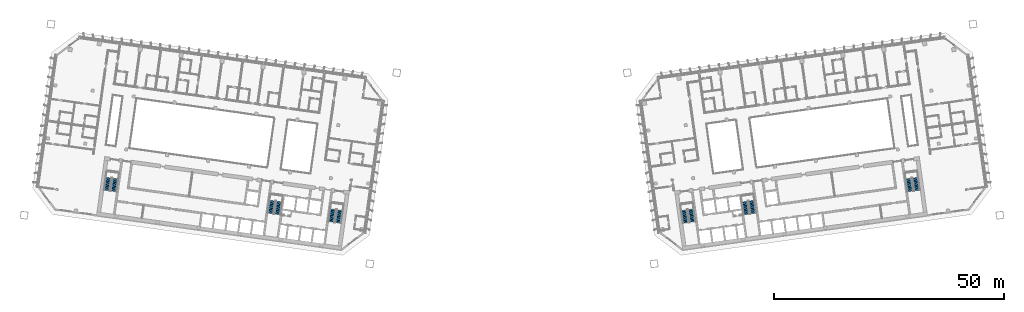
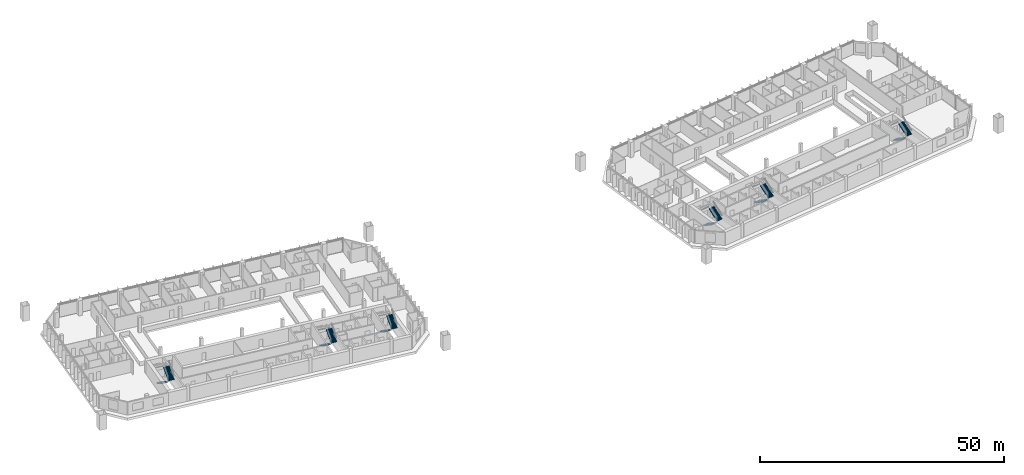
# One storey, part 22 of 24: 12 stair flights, 6 elements without a shape of their own.
"""IFC4 building model written with IfcOpenShell, lengths in metres."""

from ifc_helpers import new_model, si_unit, direction, frame, origin, place, context, subcontext, project, spatial, polyline, outline, extrude, material, type_object, element, aggregate, save


model = new_model("IFC4")

# Units and contexts
model_context = context("Model", 3, precision=1e-05, world=origin(), true_north=direction((0.0, 1.0)))
body_context = subcontext(model_context, "Body", "Model", "MODEL_VIEW")
ifc_project = project(units=[si_unit("LENGTHUNIT", "METRE"), si_unit("AREAUNIT", "SQUARE_METRE"), si_unit("VOLUMEUNIT", "CUBIC_METRE"), si_unit("PLANEANGLEUNIT", "RADIAN"), si_unit("MASSUNIT", "GRAM", prefix="KILO")], contexts=[model_context])

# Site, building, storey
site_placement = place(None, origin())
site = spatial("IfcSite", under=ifc_project, at=site_placement, CompositionType="ELEMENT")
building_placement = place(site_placement, origin())
building = spatial("IfcBuilding", under=site, at=building_placement, Name="Mirante Cascada Hotel Towers", CompositionType="ELEMENT")
storey_placement = place(building_placement, frame((0.0, 0.0, 110.1)))
storey = spatial("IfcBuildingStorey", under=building, at=storey_placement, Name="L24", CompositionType="ELEMENT", Elevation=110.1)

# Stair, stair flights
ifc_material_1 = material(Name="Concrete C35/45", Category="concrete")
stair_type = type_object("IfcStairType", Name="Exit stair half-turn 1350 concrete C35/45", PredefinedType="HALF_TURN_STAIR", material=ifc_material_1)
stair_1_placement = place(storey_placement, origin())
stair_1 = element("IfcStair", 1, at=stair_1_placement, inside=storey, type_object=stair_type, Name="L24 Exit stair A", PredefinedType="HALF_TURN_STAIR")
ifc_material_2 = material(Name="Concrete C35/45", Category="concrete")
stair_flight_type = type_object("IfcStairFlightType", Name="Exit stair flight 1350 concrete C35/45", PredefinedType="STRAIGHT", material=ifc_material_2)
stair_flight_1_placement = place(storey_placement, frame((-38.9417, -11.195, 0.0), z_axis=(0.0, 0.0, 1.0), x_axis=(-0.1391731, -0.9902681, 0.0)))
stair_flight_1 = element("IfcStairFlight", 2, at=stair_flight_1_placement, type_object=stair_flight_type, Name="ST1-A flight 1", NumberOfRisers=11, NumberOfTreads=10, PredefinedType="STRAIGHT", RiserHeight=0.172727273, TreadLength=0.28, context=body_context, shape_type="SweptSolid", body=[
    extrude(outline(polyline([(0.0, 0.0), (0.0, 0.1727), (0.28, 0.1727), (0.28, 0.3455), (0.56, 0.3455), (0.56, 0.5182), (0.84, 0.5182), (0.84, 0.6909), (1.12, 0.6909), (1.12, 0.8636), (1.4, 0.8636), (1.4, 1.0364), (1.68, 1.0364), (1.68, 1.2091), (1.96, 1.2091), (1.96, 1.3818), (2.24, 1.3818), (2.24, 1.5545), (2.52, 1.5545), (2.52, 1.7273), (2.8, 1.7273), (2.8, 1.9), (2.8, 1.551), (0.2857, 0.0), (0.0, 0.0)])), frame((0.0, 0.675, 0.0), z_axis=(0.0, -1.0, 0.0), x_axis=(1.0, 0.0, 0.0)), (0.0, 0.0, 1.0), 1.35),
])
stair_flight_2_placement = place(storey_placement, frame((-37.846, -14.1765, 1.9), z_axis=(0.0, 0.0, 1.0), x_axis=(0.1391731, 0.9902681, 0.0)))
stair_flight_2 = element("IfcStairFlight", 3, at=stair_flight_2_placement, type_object=stair_flight_type, Name="ST1-A flight 2", NumberOfRisers=11, NumberOfTreads=10, PredefinedType="STRAIGHT", RiserHeight=0.172727273, TreadLength=0.28, context=body_context, shape_type="SweptSolid", body=[
    extrude(outline(polyline([(0.0, 0.0), (0.0, 0.1727), (0.28, 0.1727), (0.28, 0.3455), (0.56, 0.3455), (0.56, 0.5182), (0.84, 0.5182), (0.84, 0.6909), (1.12, 0.6909), (1.12, 0.8636), (1.4, 0.8636), (1.4, 1.0364), (1.68, 1.0364), (1.68, 1.2091), (1.96, 1.2091), (1.96, 1.3818), (2.24, 1.3818), (2.24, 1.5545), (2.52, 1.5545), (2.52, 1.7273), (2.8, 1.7273), (2.8, 1.9), (2.8, 1.551), (0.2857, 0.0), (0.0, 0.0)])), frame((0.0, 0.675, 0.0), z_axis=(0.0, -1.0, 0.0), x_axis=(1.0, 0.0, 0.0)), (0.0, 0.0, 1.0), 1.35),
])
aggregate(stair_1, [stair_flight_1, stair_flight_2])

stair_2_placement = place(storey_placement, origin())
stair_2 = element("IfcStair", 4, at=stair_2_placement, inside=storey, type_object=stair_type, Name="L24 Exit stair B", PredefinedType="HALF_TURN_STAIR")
stair_flight_3_placement = place(storey_placement, frame((-52.1618, -9.3371, 0.0), z_axis=(0.0, 0.0, 1.0), x_axis=(-0.1391731, -0.9902681, 0.0)))
stair_flight_3 = element("IfcStairFlight", 5, at=stair_flight_3_placement, type_object=stair_flight_type, Name="ST1-B flight 1", NumberOfRisers=11, NumberOfTreads=10, PredefinedType="STRAIGHT", RiserHeight=0.172727273, TreadLength=0.28, context=body_context, shape_type="SweptSolid", body=[
    extrude(outline(polyline([(0.0, 0.0), (0.0, 0.1727), (0.28, 0.1727), (0.28, 0.3455), (0.56, 0.3455), (0.56, 0.5182), (0.84, 0.5182), (0.84, 0.6909), (1.12, 0.6909), (1.12, 0.8636), (1.4, 0.8636), (1.4, 1.0364), (1.68, 1.0364), (1.68, 1.2091), (1.96, 1.2091), (1.96, 1.3818), (2.24, 1.3818), (2.24, 1.5545), (2.52, 1.5545), (2.52, 1.7273), (2.8, 1.7273), (2.8, 1.9), (2.8, 1.551), (0.2857, 0.0), (0.0, 0.0)])), frame((0.0, 0.675, 0.0), z_axis=(0.0, -1.0, 0.0), x_axis=(1.0, 0.0, 0.0)), (0.0, 0.0, 1.0), 1.35),
])
stair_flight_4_placement = place(storey_placement, frame((-51.0661, -12.3186, 1.9), z_axis=(0.0, 0.0, 1.0), x_axis=(0.1391731, 0.9902681, 0.0)))
stair_flight_4 = element("IfcStairFlight", 6, at=stair_flight_4_placement, type_object=stair_flight_type, Name="ST1-B flight 2", NumberOfRisers=11, NumberOfTreads=10, PredefinedType="STRAIGHT", RiserHeight=0.172727273, TreadLength=0.28, context=body_context, shape_type="SweptSolid", body=[
    extrude(outline(polyline([(0.0, 0.0), (0.0, 0.1727), (0.28, 0.1727), (0.28, 0.3455), (0.56, 0.3455), (0.56, 0.5182), (0.84, 0.5182), (0.84, 0.6909), (1.12, 0.6909), (1.12, 0.8636), (1.4, 0.8636), (1.4, 1.0364), (1.68, 1.0364), (1.68, 1.2091), (1.96, 1.2091), (1.96, 1.3818), (2.24, 1.3818), (2.24, 1.5545), (2.52, 1.5545), (2.52, 1.7273), (2.8, 1.7273), (2.8, 1.9), (2.8, 1.551), (0.2857, 0.0), (0.0, 0.0)])), frame((0.0, 0.675, 0.0), z_axis=(0.0, -1.0, 0.0), x_axis=(1.0, 0.0, 0.0)), (0.0, 0.0, 1.0), 1.35),
])
aggregate(stair_2, [stair_flight_3, stair_flight_4])

stair_3_placement = place(storey_placement, origin())
stair_3 = element("IfcStair", 7, at=stair_3_placement, inside=storey, type_object=stair_type, Name="L24 Exit stair C", PredefinedType="HALF_TURN_STAIR")
stair_flight_5_placement = place(storey_placement, frame((-87.8115, -4.3268, 0.0), z_axis=(0.0, 0.0, 1.0), x_axis=(-0.1391731, -0.9902681, 0.0)))
stair_flight_5 = element("IfcStairFlight", 8, at=stair_flight_5_placement, type_object=stair_flight_type, Name="ST1-C flight 1", NumberOfRisers=11, NumberOfTreads=10, PredefinedType="STRAIGHT", RiserHeight=0.172727273, TreadLength=0.28, context=body_context, shape_type="SweptSolid", body=[
    extrude(outline(polyline([(0.0, 0.0), (0.0, 0.1727), (0.28, 0.1727), (0.28, 0.3455), (0.56, 0.3455), (0.56, 0.5182), (0.84, 0.5182), (0.84, 0.6909), (1.12, 0.6909), (1.12, 0.8636), (1.4, 0.8636), (1.4, 1.0364), (1.68, 1.0364), (1.68, 1.2091), (1.96, 1.2091), (1.96, 1.3818), (2.24, 1.3818), (2.24, 1.5545), (2.52, 1.5545), (2.52, 1.7273), (2.8, 1.7273), (2.8, 1.9), (2.8, 1.551), (0.2857, 0.0), (0.0, 0.0)])), frame((0.0, 0.675, 0.0), z_axis=(0.0, -1.0, 0.0), x_axis=(1.0, 0.0, 0.0)), (0.0, 0.0, 1.0), 1.35),
])
stair_flight_6_placement = place(storey_placement, frame((-86.7157, -7.3084, 1.9), z_axis=(0.0, 0.0, 1.0), x_axis=(0.1391731, 0.9902681, 0.0)))
stair_flight_6 = element("IfcStairFlight", 9, at=stair_flight_6_placement, type_object=stair_flight_type, Name="ST1-C flight 2", NumberOfRisers=11, NumberOfTreads=10, PredefinedType="STRAIGHT", RiserHeight=0.172727273, TreadLength=0.28, context=body_context, shape_type="SweptSolid", body=[
    extrude(outline(polyline([(0.0, 0.0), (0.0, 0.1727), (0.28, 0.1727), (0.28, 0.3455), (0.56, 0.3455), (0.56, 0.5182), (0.84, 0.5182), (0.84, 0.6909), (1.12, 0.6909), (1.12, 0.8636), (1.4, 0.8636), (1.4, 1.0364), (1.68, 1.0364), (1.68, 1.2091), (1.96, 1.2091), (1.96, 1.3818), (2.24, 1.3818), (2.24, 1.5545), (2.52, 1.5545), (2.52, 1.7273), (2.8, 1.7273), (2.8, 1.9), (2.8, 1.551), (0.2857, 0.0), (0.0, 0.0)])), frame((0.0, 0.675, 0.0), z_axis=(0.0, -1.0, 0.0), x_axis=(1.0, 0.0, 0.0)), (0.0, 0.0, 1.0), 1.35),
])
aggregate(stair_3, [stair_flight_5, stair_flight_6])

stair_4_placement = place(storey_placement, origin())
stair_4 = element("IfcStair", 10, at=stair_4_placement, inside=storey, type_object=stair_type, Name="L24 Exit stair A", PredefinedType="HALF_TURN_STAIR")
stair_flight_7_placement = place(storey_placement, frame((37.4563, -11.4038, 0.0), z_axis=(0.0, 0.0, 1.0), x_axis=(0.1391731, -0.9902681, 0.0)))
stair_flight_7 = element("IfcStairFlight", 11, at=stair_flight_7_placement, type_object=stair_flight_type, Name="ST2-A flight 1", NumberOfRisers=11, NumberOfTreads=10, PredefinedType="STRAIGHT", RiserHeight=0.172727273, TreadLength=0.28, context=body_context, shape_type="SweptSolid", body=[
    extrude(outline(polyline([(0.0, 0.0), (0.0, 0.1727), (0.28, 0.1727), (0.28, 0.3455), (0.56, 0.3455), (0.56, 0.5182), (0.84, 0.5182), (0.84, 0.6909), (1.12, 0.6909), (1.12, 0.8636), (1.4, 0.8636), (1.4, 1.0364), (1.68, 1.0364), (1.68, 1.2091), (1.96, 1.2091), (1.96, 1.3818), (2.24, 1.3818), (2.24, 1.5545), (2.52, 1.5545), (2.52, 1.7273), (2.8, 1.7273), (2.8, 1.9), (2.8, 1.551), (0.2857, 0.0), (0.0, 0.0)])), frame((0.0, 0.675, 0.0), z_axis=(0.0, -1.0, 0.0), x_axis=(1.0, 0.0, 0.0)), (0.0, 0.0, 1.0), 1.35),
])
stair_flight_8_placement = place(storey_placement, frame((39.3314, -13.9678, 1.9), z_axis=(0.0, 0.0, 1.0), x_axis=(-0.1391731, 0.9902681, 0.0)))
stair_flight_8 = element("IfcStairFlight", 12, at=stair_flight_8_placement, type_object=stair_flight_type, Name="ST2-A flight 2", NumberOfRisers=11, NumberOfTreads=10, PredefinedType="STRAIGHT", RiserHeight=0.172727273, TreadLength=0.28, context=body_context, shape_type="SweptSolid", body=[
    extrude(outline(polyline([(0.0, 0.0), (0.0, 0.1727), (0.28, 0.1727), (0.28, 0.3455), (0.56, 0.3455), (0.56, 0.5182), (0.84, 0.5182), (0.84, 0.6909), (1.12, 0.6909), (1.12, 0.8636), (1.4, 0.8636), (1.4, 1.0364), (1.68, 1.0364), (1.68, 1.2091), (1.96, 1.2091), (1.96, 1.3818), (2.24, 1.3818), (2.24, 1.5545), (2.52, 1.5545), (2.52, 1.7273), (2.8, 1.7273), (2.8, 1.9), (2.8, 1.551), (0.2857, 0.0), (0.0, 0.0)])), frame((0.0, 0.675, 0.0), z_axis=(0.0, -1.0, 0.0), x_axis=(1.0, 0.0, 0.0)), (0.0, 0.0, 1.0), 1.35),
])
aggregate(stair_4, [stair_flight_7, stair_flight_8])

stair_5_placement = place(storey_placement, origin())
stair_5 = element("IfcStair", 13, at=stair_5_placement, inside=storey, type_object=stair_type, Name="L24 Exit stair B", PredefinedType="HALF_TURN_STAIR")
stair_flight_9_placement = place(storey_placement, frame((50.6764, -9.5458, 0.0), z_axis=(0.0, 0.0, 1.0), x_axis=(0.1391731, -0.9902681, 0.0)))
stair_flight_9 = element("IfcStairFlight", 14, at=stair_flight_9_placement, type_object=stair_flight_type, Name="ST2-B flight 1", NumberOfRisers=11, NumberOfTreads=10, PredefinedType="STRAIGHT", RiserHeight=0.172727273, TreadLength=0.28, context=body_context, shape_type="SweptSolid", body=[
    extrude(outline(polyline([(0.0, 0.0), (0.0, 0.1727), (0.28, 0.1727), (0.28, 0.3455), (0.56, 0.3455), (0.56, 0.5182), (0.84, 0.5182), (0.84, 0.6909), (1.12, 0.6909), (1.12, 0.8636), (1.4, 0.8636), (1.4, 1.0364), (1.68, 1.0364), (1.68, 1.2091), (1.96, 1.2091), (1.96, 1.3818), (2.24, 1.3818), (2.24, 1.5545), (2.52, 1.5545), (2.52, 1.7273), (2.8, 1.7273), (2.8, 1.9), (2.8, 1.551), (0.2857, 0.0), (0.0, 0.0)])), frame((0.0, 0.675, 0.0), z_axis=(0.0, -1.0, 0.0), x_axis=(1.0, 0.0, 0.0)), (0.0, 0.0, 1.0), 1.35),
])
stair_flight_10_placement = place(storey_placement, frame((52.5515, -12.1098, 1.9), z_axis=(0.0, 0.0, 1.0), x_axis=(-0.1391731, 0.9902681, 0.0)))
stair_flight_10 = element("IfcStairFlight", 15, at=stair_flight_10_placement, type_object=stair_flight_type, Name="ST2-B flight 2", NumberOfRisers=11, NumberOfTreads=10, PredefinedType="STRAIGHT", RiserHeight=0.172727273, TreadLength=0.28, context=body_context, shape_type="SweptSolid", body=[
    extrude(outline(polyline([(0.0, 0.0), (0.0, 0.1727), (0.28, 0.1727), (0.28, 0.3455), (0.56, 0.3455), (0.56, 0.5182), (0.84, 0.5182), (0.84, 0.6909), (1.12, 0.6909), (1.12, 0.8636), (1.4, 0.8636), (1.4, 1.0364), (1.68, 1.0364), (1.68, 1.2091), (1.96, 1.2091), (1.96, 1.3818), (2.24, 1.3818), (2.24, 1.5545), (2.52, 1.5545), (2.52, 1.7273), (2.8, 1.7273), (2.8, 1.9), (2.8, 1.551), (0.2857, 0.0), (0.0, 0.0)])), frame((0.0, 0.675, 0.0), z_axis=(0.0, -1.0, 0.0), x_axis=(1.0, 0.0, 0.0)), (0.0, 0.0, 1.0), 1.35),
])
aggregate(stair_5, [stair_flight_9, stair_flight_10])

stair_6_placement = place(storey_placement, origin())
stair_6 = element("IfcStair", 16, at=stair_6_placement, inside=storey, type_object=stair_type, Name="L24 Exit stair C", PredefinedType="HALF_TURN_STAIR")
stair_flight_11_placement = place(storey_placement, frame((86.326, -4.5356, 0.0), z_axis=(0.0, 0.0, 1.0), x_axis=(0.1391731, -0.9902681, 0.0)))
stair_flight_11 = element("IfcStairFlight", 17, at=stair_flight_11_placement, type_object=stair_flight_type, Name="ST2-C flight 1", NumberOfRisers=11, NumberOfTreads=10, PredefinedType="STRAIGHT", RiserHeight=0.172727273, TreadLength=0.28, context=body_context, shape_type="SweptSolid", body=[
    extrude(outline(polyline([(0.0, 0.0), (0.0, 0.1727), (0.28, 0.1727), (0.28, 0.3455), (0.56, 0.3455), (0.56, 0.5182), (0.84, 0.5182), (0.84, 0.6909), (1.12, 0.6909), (1.12, 0.8636), (1.4, 0.8636), (1.4, 1.0364), (1.68, 1.0364), (1.68, 1.2091), (1.96, 1.2091), (1.96, 1.3818), (2.24, 1.3818), (2.24, 1.5545), (2.52, 1.5545), (2.52, 1.7273), (2.8, 1.7273), (2.8, 1.9), (2.8, 1.551), (0.2857, 0.0), (0.0, 0.0)])), frame((0.0, 0.675, 0.0), z_axis=(0.0, -1.0, 0.0), x_axis=(1.0, 0.0, 0.0)), (0.0, 0.0, 1.0), 1.35),
])
stair_flight_12_placement = place(storey_placement, frame((88.2011, -7.0996, 1.9), z_axis=(0.0, 0.0, 1.0), x_axis=(-0.1391731, 0.9902681, 0.0)))
stair_flight_12 = element("IfcStairFlight", 18, at=stair_flight_12_placement, type_object=stair_flight_type, Name="ST2-C flight 2", NumberOfRisers=11, NumberOfTreads=10, PredefinedType="STRAIGHT", RiserHeight=0.172727273, TreadLength=0.28, context=body_context, shape_type="SweptSolid", body=[
    extrude(outline(polyline([(0.0, 0.0), (0.0, 0.1727), (0.28, 0.1727), (0.28, 0.3455), (0.56, 0.3455), (0.56, 0.5182), (0.84, 0.5182), (0.84, 0.6909), (1.12, 0.6909), (1.12, 0.8636), (1.4, 0.8636), (1.4, 1.0364), (1.68, 1.0364), (1.68, 1.2091), (1.96, 1.2091), (1.96, 1.3818), (2.24, 1.3818), (2.24, 1.5545), (2.52, 1.5545), (2.52, 1.7273), (2.8, 1.7273), (2.8, 1.9), (2.8, 1.551), (0.2857, 0.0), (0.0, 0.0)])), frame((0.0, 0.675, 0.0), z_axis=(0.0, -1.0, 0.0), x_axis=(1.0, 0.0, 0.0)), (0.0, 0.0, 1.0), 1.35),
])
aggregate(stair_6, [stair_flight_11, stair_flight_12])

save(model, "model.ifc")
